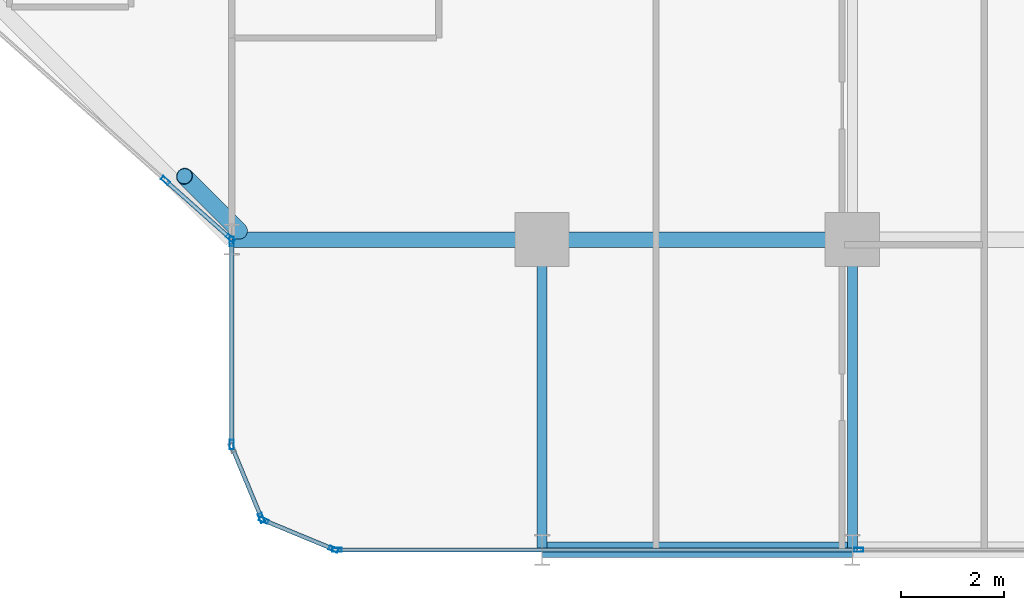
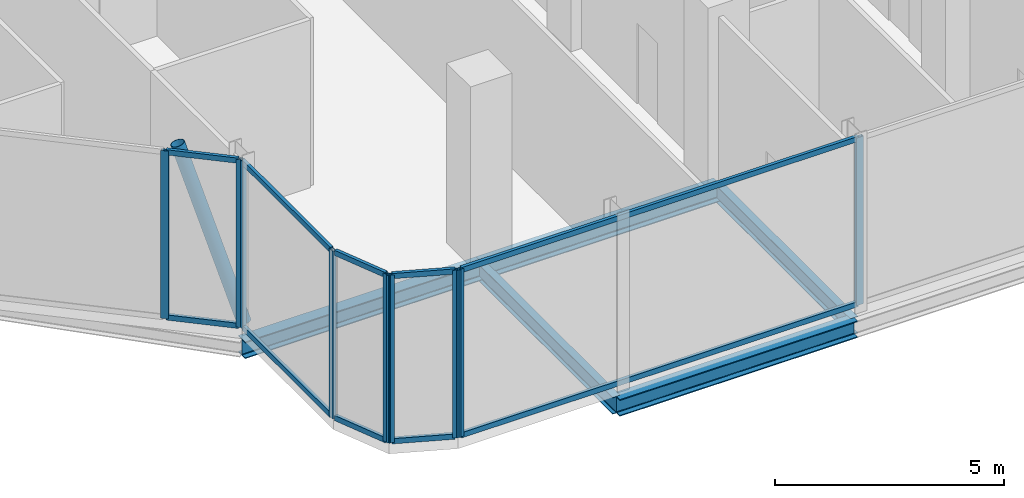
# One storey, part 4 of 29: 20 members, 5 beams, 5 elements without a shape of their own.
"""IFC4 building model written with IfcOpenShell, lengths in metres."""

import ifcopenshell
import ifcopenshell.guid

model = None  # the IFC model being written
_history = None  # IfcOwnerHistory: only IFC2X3 demands one
_inside = {}  # id of a spatial element -> (the spatial element, [elements in it])
_under = {}  # id of a project, library or spatial element -> (it, [spatial elements below it])
_declared = {}  # id of a project -> (the project, [libraries it declares])
_typed = {}  # id of a type object -> (the type object, [elements of that type])
_made_of = {}  # id of a material, layer set ... -> (it, [elements and type objects made of it])


def new_model(schema):
    """Start an empty IFC model of exactly this schema.

    Asked for "IFC4X3", IfcOpenShell would pick the latest addendum, in which some entities
    have other attributes; the version numbers below select the first issue.
    IFC2X3 requires an IfcOwnerHistory on every rooted entity: one is made here for all.
    """
    global model, _history
    if schema == "IFC4X3":
        model = ifcopenshell.file(schema_version=(4, 3, 0, 0))
    else:
        model = ifcopenshell.file(schema=schema)
    _inside.clear()
    _under.clear()
    _declared.clear()
    _typed.clear()
    _made_of.clear()
    _history = None
    if model.schema == "IFC2X3":
        org = make("IfcOrganization", Name="unknown")
        user = make(
            "IfcPersonAndOrganization",
            ThePerson=make("IfcPerson", FamilyName="unknown"),
            TheOrganization=org,
        )
        app = make(
            "IfcApplication",
            ApplicationDeveloper=org,
            Version="unknown",
            ApplicationFullName="unknown",
            ApplicationIdentifier="unknown",
        )
        _history = make(
            "IfcOwnerHistory",
            OwningUser=user,
            OwningApplication=app,
            ChangeAction="ADDED",
            CreationDate=0,
        )
    return model


def make(cls, **values):
    """One entity of the class cls with the attributes given. An attribute that is None is left unset."""
    return model.create_entity(
        cls, **{name: value for name, value in values.items() if value is not None}
    )


def rooted(cls, **values):
    """An entity with a GlobalId (a new one), such as an element, a storey or a relation."""
    return make(cls, GlobalId=ifcopenshell.guid.new(), OwnerHistory=_history, **values)


def si_unit(unit_type, name, prefix=None):
    """IfcSIUnit, for example si_unit("LENGTHUNIT", "METRE", prefix="MILLI")."""
    return make("IfcSIUnit", UnitType=unit_type, Prefix=prefix, Name=name)


def assignment(units):
    """IfcUnitAssignment: the units of a project."""
    return None if units is None else make("IfcUnitAssignment", Units=units)


def point(xyz):
    """IfcCartesianPoint."""
    return None if xyz is None else make("IfcCartesianPoint", Coordinates=xyz)


def direction(xyz):
    """IfcDirection."""
    return None if xyz is None else make("IfcDirection", DirectionRatios=xyz)


def frame(location, z_axis=None, x_axis=None):
    """IfcAxis2Placement3D, a coordinate frame: its origin and axes. An axis left out is left unset."""
    return make(
        "IfcAxis2Placement3D",
        Location=point(location),
        Axis=direction(z_axis),
        RefDirection=direction(x_axis),
    )


def frame_2d(location, x_axis=None):
    """IfcAxis2Placement2D, a coordinate frame in the plane: its origin and x axis."""
    return make(
        "IfcAxis2Placement2D", Location=point(location), RefDirection=direction(x_axis)
    )


def origin():
    """The frame at (0, 0, 0) with its axes left unset."""
    return frame((0.0, 0.0, 0.0))


def origin_2d():
    """The frame at (0, 0) in the plane with its x axis left unset."""
    return frame_2d((0.0, 0.0))


def place(relative_to, where):
    """IfcLocalPlacement: puts the frame where relative to a parent placement (None: the world)."""
    return make(
        "IfcLocalPlacement", PlacementRelTo=relative_to, RelativePlacement=where
    )


def context(
    kind, dimensions, precision=None, world=None, true_north=None, identifier=None
):
    """IfcGeometricRepresentationContext, for example the 3D "Model" context."""
    return make(
        "IfcGeometricRepresentationContext",
        ContextIdentifier=identifier,
        ContextType=kind,
        CoordinateSpaceDimension=dimensions,
        Precision=precision,
        WorldCoordinateSystem=world,
        TrueNorth=true_north,
    )


def subcontext(parent, identifier, kind, view, scale=None):
    """IfcGeometricRepresentationSubContext, for example "Body" below "Model"."""
    return make(
        "IfcGeometricRepresentationSubContext",
        ContextIdentifier=identifier,
        ContextType=kind,
        ParentContext=parent,
        TargetScale=scale,
        TargetView=view,
    )


def project(units=None, contexts=None):
    """IfcProject with its units and contexts."""
    return rooted(
        "IfcProject",
        Name="project",
        RepresentationContexts=contexts,
        UnitsInContext=assignment(units),
    )


def spatial(cls, under=None, at=None, **own):
    """A site, building, storey or space (cls), placed at a placement, below another one or the project."""
    s = rooted(cls, ObjectPlacement=at, **own)
    if under is not None:
        _under.setdefault(under.id(), (under, []))[1].append(s)
    return s


def profile(cls, at=None, kind="AREA", **sizes):
    """A parametric profile (cls). Its sizes go by their IFC names, for example OverallWidth=200.0."""
    return make(cls, ProfileType=kind, Position=at, **sizes)


def hollow_rectangle(**sizes):
    """IfcRectangleHollowProfileDef."""
    return profile("IfcRectangleHollowProfileDef", **sizes)


def hollow_circle(**sizes):
    """IfcCircleHollowProfileDef."""
    return profile("IfcCircleHollowProfileDef", **sizes)


def i_section(**sizes):
    """IfcIShapeProfileDef."""
    return profile("IfcIShapeProfileDef", **sizes)


def extrude(swept, where, along, depth):
    """IfcExtrudedAreaSolid: the profile swept, set in the frame where, extruded along a direction by depth."""
    return make(
        "IfcExtrudedAreaSolid",
        SweptArea=swept,
        Position=where,
        ExtrudedDirection=direction(along),
        Depth=depth,
    )


def shape(context_of_items, identifier, shape_type, items):
    """IfcShapeRepresentation: the items that make up one representation, for example the "Body"."""
    return make(
        "IfcShapeRepresentation",
        ContextOfItems=context_of_items,
        RepresentationIdentifier=identifier,
        RepresentationType=shape_type,
        Items=items,
    )


def material(Name=None, Category=None):
    """IfcMaterial."""
    return make("IfcMaterial", Name=Name, Category=Category)


def layer(
    of_material, thickness, ventilated=None, Name=None, Category=None, Priority=None
):
    """IfcMaterialLayer: one layer of a wall or slab, of a material (None: an air gap)."""
    return make(
        "IfcMaterialLayer",
        Material=of_material,
        LayerThickness=thickness,
        IsVentilated=ventilated,
        Name=Name,
        Category=Category,
        Priority=Priority,
    )


def layer_set(layers, Name=None):
    """IfcMaterialLayerSet."""
    return make("IfcMaterialLayerSet", MaterialLayers=layers, LayerSetName=Name)


def material_profile(
    of_material, cross_section, Name=None, Category=None, Priority=None
):
    """IfcMaterialProfile: a cross section and its material."""
    return make(
        "IfcMaterialProfile",
        Name=Name,
        Material=of_material,
        Profile=cross_section,
        Priority=Priority,
        Category=Category,
    )


def profile_set(profiles, Name=None, composite=None):
    """IfcMaterialProfileSet."""
    return make(
        "IfcMaterialProfileSet",
        Name=Name,
        MaterialProfiles=profiles,
        CompositeProfile=composite,
    )


def made_of(thing, what):
    """Note that an element or type object is made of a material, layer set ...; save() writes the relation."""
    if what is not None:
        _made_of.setdefault(what.id(), (what, []))[1].append(thing)
    return thing


def type_object(cls, material=None, **own):
    """A type object (cls), such as IfcWallType, which elements share."""
    return made_of(rooted(cls, **own), material)


def element(
    cls,
    number,
    at=None,
    inside=None,
    cuts=None,
    type_object=None,
    material=None,
    context=None,
    identifier="Body",
    shape_type=None,
    held_by="IfcProductDefinitionShape",
    body=None,
    shapes=None,
    **own,
):
    """One element of the class cls, such as IfcWall. Its Tag is "e" and its number.

    at: its placement. inside: the storey or other place that contains it. cuts: it is an
    opening in that element (IfcRelVoidsElement). A single representation is given by context,
    identifier, shape_type and body (its items); several are given by shapes. held_by: the class
    of the entity that holds the representations. save() writes the other relations.
    """
    e = rooted(cls, Tag="e%d" % number, ObjectPlacement=at, **own)
    if body is not None:
        shapes = [shape(context, identifier, shape_type, body)]
    if shapes is not None:
        e.Representation = make(held_by, Representations=shapes)
    if inside is not None:
        _inside.setdefault(inside.id(), (inside, []))[1].append(e)
    if cuts is not None:
        rooted(
            "IfcRelVoidsElement", RelatingBuildingElement=cuts, RelatedOpeningElement=e
        )
    if type_object is not None:
        _typed.setdefault(type_object.id(), (type_object, []))[1].append(e)
    return made_of(e, material)


def aggregate(whole, parts):
    """IfcRelAggregates: a whole, such as a stair, and the parts it consists of."""
    return rooted("IfcRelAggregates", RelatingObject=whole, RelatedObjects=parts)


def save(model, path):
    """Write the relations noted so far, then the file.

    IfcRelAggregates (storeys below a building ...), IfcRelContainedInSpatialStructure (elements
    in a storey), IfcRelDefinesByType, IfcRelAssociatesMaterial and IfcRelDeclares: one each for
    every whole, place, type object, material and project.
    """
    for whole, parts in _under.values():
        aggregate(whole, parts)
    for where, things in _inside.values():
        rooted(
            "IfcRelContainedInSpatialStructure",
            RelatedElements=things,
            RelatingStructure=where,
        )
    for kind, things in _typed.values():
        rooted("IfcRelDefinesByType", RelatedObjects=things, RelatingType=kind)
    for what, things in _made_of.values():
        rooted("IfcRelAssociatesMaterial", RelatedObjects=things, RelatingMaterial=what)
    for by, libraries in _declared.values():
        rooted("IfcRelDeclares", RelatingContext=by, RelatedDefinitions=libraries)
    model.write(path)


model = new_model("IFC4")

# Units and contexts
model_context = context("Model", 3, precision=1e-05, world=origin(), true_north=direction((0.0, 1.0)))
body_context = subcontext(model_context, "Body", "Model", "MODEL_VIEW")
ifc_project = project(units=[si_unit("LENGTHUNIT", "METRE"), si_unit("AREAUNIT", "SQUARE_METRE"), si_unit("VOLUMEUNIT", "CUBIC_METRE"), si_unit("PLANEANGLEUNIT", "RADIAN"), si_unit("MASSUNIT", "GRAM", prefix="KILO")], contexts=[model_context])

# Site, building, storey
site_placement = place(None, origin())
site = spatial("IfcSite", under=ifc_project, at=site_placement, CompositionType="ELEMENT")
building_placement = place(site_placement, origin())
building = spatial("IfcBuilding", under=site, at=building_placement, Name="Keshet Zoharim Tower", CompositionType="ELEMENT")
storey_placement = place(building_placement, frame((0.0, 0.0, 120.5)))
storey = spatial("IfcBuildingStorey", under=building, at=storey_placement, Name="L29", CompositionType="ELEMENT", Elevation=120.5)

# Beams
ifc_material_1 = material(Name="Steel S355", Category="steel")
ifc_material_profile_1 = material_profile(ifc_material_1, i_section(OverallWidth=0.18994140625, OverallDepth=0.449951171875, WebThickness=0.009521484375, FlangeThickness=0.0146484375, FilletRadius=0.02099609375, at=origin_2d()), Name="IPE450")
ifc_profile_set_1 = profile_set([ifc_material_profile_1], Name="Steel S355")
beam_type_1 = type_object("IfcBeamType", Name="BM-PRI-IP450", PredefinedType="BEAM", material=ifc_profile_set_1)
for number, where, z_axis, x_axis, name in (
    (1, (27.0, 0.699951171875, -0.544921875), (0.0, 1.0, 0.0), (-1.0, 0.0, 0.0), "L29 Primary Girder Y-004"),
    (2, (33.0, 0.699951171875, -0.544921875), (0.0, 1.0, 0.0), (-1.0, 0.0, 0.0), "L29 Primary Girder Y-005"),
):
    element("IfcBeam", number, at=place(storey_placement, frame(where, z_axis=z_axis, x_axis=x_axis)), inside=storey, type_object=beam_type_1, Name=name, PredefinedType="BEAM", context=body_context, shape_type="SweptSolid", body=[
        extrude(i_section(OverallWidth=0.18994140625, OverallDepth=0.449951171875, WebThickness=0.009521484375, FlangeThickness=0.0146484375, FilletRadius=0.02099609375, at=origin_2d()), origin(), (0.0, 0.0, 1.0), 6.0),
    ])
ifc_material_profile_2 = material_profile(ifc_material_1, i_section(OverallWidth=0.300048828125, OverallDepth=0.449951171875, WebThickness=0.013916015625, FlangeThickness=0.02587890625, FilletRadius=0.027099609375, at=origin_2d()), Name="HEB450")
ifc_profile_set_2 = profile_set([ifc_material_profile_2], Name="Steel S355")
beam_type_2 = type_object("IfcBeamType", Name="BM-WEB-HB450", PredefinedType="BEAM", material=ifc_profile_set_2)
for number, where, z_axis, x_axis, name in (
    (3, (27.0, 0.699951171875, -0.544921875), (1.0, 0.0, 0.0), (0.0, 1.0, 0.0), "L29 Primary Girder X-001"),
    (4, (21.0, 6.699951171875, -0.544921875), (1.0, 0.0, 0.0), (0.0, 1.0, 0.0), "L29 Primary Girder X-005"),
    (5, (27.0, 6.699951171875, -0.544921875), (1.0, 0.0, 0.0), (0.0, 1.0, 0.0), "L29 Primary Girder X-006"),
):
    element("IfcBeam", number, at=place(storey_placement, frame(where, z_axis=z_axis, x_axis=x_axis)), inside=storey, type_object=beam_type_2, Name=name, PredefinedType="BEAM", context=body_context, shape_type="SweptSolid", body=[
        extrude(i_section(OverallWidth=0.300048828125, OverallDepth=0.449951171875, WebThickness=0.013916015625, FlangeThickness=0.02587890625, FilletRadius=0.027099609375, at=origin_2d()), origin(), (0.0, 0.0, 1.0), 6.0),
    ])

# Curtain wall, members
ifc_material_2 = material(Name="Aluminium 6063-T6", Category="aluminium")
ifc_layer = layer(ifc_material_2, 0.14990234375)
ifc_layer_set = layer_set([ifc_layer], Name="Aluminium 6063-T6")
curtain_wall_type = type_object("IfcCurtainWallType", Name="CW-SYS-04", PredefinedType="NOTDEFINED", material=ifc_layer_set)
curtain_wall_1_placement = place(storey_placement, origin())
curtain_wall_1 = element("IfcCurtainWall", 6, at=curtain_wall_1_placement, inside=storey, type_object=curtain_wall_type, Name="L29 Unitised Curtain Wall 03 Part 3", PredefinedType="NOTDEFINED")
ifc_material_profile_3 = material_profile(ifc_material_2, hollow_rectangle(XDim=0.080078125, YDim=0.179931640625, WallThickness=0.00439453125, at=origin_2d()), Name="MUL-80x180")
ifc_profile_set_3 = profile_set([ifc_material_profile_3], Name="Aluminium 6063-T6")
member_type_1 = type_object("IfcMemberType", Name="CWM-M18", PredefinedType="MULLION", material=ifc_profile_set_3)
member_1_placement = place(storey_placement, frame((33.123291015625, 0.699951171875, 0.0), z_axis=(0.0, 0.0, 1.0), x_axis=(0.0, -1.0, 0.0)))
member_1 = element("IfcMember", 7, at=member_1_placement, type_object=member_type_1, Name="CW-04 mullion 2", PredefinedType="MULLION", context=body_context, shape_type="SweptSolid", body=[
    extrude(hollow_rectangle(XDim=0.080078125, YDim=0.179931640625, WallThickness=0.00439453125, at=origin_2d()), origin(), (0.0, 0.0, 1.0), 4.47998046875),
])
member_2_placement = place(storey_placement, frame((23.034912109375, 0.699951171875, 0.0), z_axis=(0.0, 0.0, 1.0), x_axis=(0.0, -1.0, 0.0)))
member_2 = element("IfcMember", 8, at=member_2_placement, type_object=member_type_1, Name="CW-04 mullion 3", PredefinedType="MULLION", context=body_context, shape_type="SweptSolid", body=[
    extrude(hollow_rectangle(XDim=0.080078125, YDim=0.179931640625, WallThickness=0.00439453125, at=origin_2d()), origin(), (0.0, 0.0, 1.0), 4.47998046875),
])

curtain_wall_2_placement = place(storey_placement, origin())
curtain_wall_2 = element("IfcCurtainWall", 9, at=curtain_wall_2_placement, inside=storey, type_object=curtain_wall_type, Name="L29 Unitised Curtain Wall 04", PredefinedType="NOTDEFINED")
member_3_placement = place(storey_placement, frame((22.9677734375, 0.71337890625, 0.0), z_axis=(0.0, 0.0, 1.0), x_axis=(-0.382851849847, -0.92380975372, 0.0)))
member_3 = element("IfcMember", 10, at=member_3_placement, type_object=member_type_1, Name="CW-04 mullion 1", PredefinedType="MULLION", context=body_context, shape_type="SweptSolid", body=[
    extrude(hollow_rectangle(XDim=0.080078125, YDim=0.179931640625, WallThickness=0.00439453125, at=origin_2d()), origin(), (0.0, 0.0, 1.0), 4.47998046875),
])
member_4_placement = place(storey_placement, frame((21.618408203125, 1.272705078125, 0.0), z_axis=(0.0, 0.0, 1.0), x_axis=(-0.382851849847, -0.92380975372, 0.0)))
member_4 = element("IfcMember", 11, at=member_4_placement, type_object=member_type_1, Name="CW-04 mullion 2", PredefinedType="MULLION", context=body_context, shape_type="SweptSolid", body=[
    extrude(hollow_rectangle(XDim=0.080078125, YDim=0.179931640625, WallThickness=0.00439453125, at=origin_2d()), origin(), (0.0, 0.0, 1.0), 4.47998046875),
])

# Curtain wall, member
curtain_wall_3_placement = place(storey_placement, origin())
curtain_wall_3 = element("IfcCurtainWall", 12, at=curtain_wall_3_placement, inside=storey, type_object=curtain_wall_type, Name="L29 Unitised Curtain Wall 05", PredefinedType="NOTDEFINED")
member_5_placement = place(storey_placement, frame((21.572509765625, 1.318359375, 0.0), z_axis=(0.0, 0.0, 1.0), x_axis=(-0.92380975372, -0.382851849847, 0.0)))
member_5 = element("IfcMember", 13, at=member_5_placement, type_object=member_type_1, Name="CW-04 mullion 1", PredefinedType="MULLION", context=body_context, shape_type="SweptSolid", body=[
    extrude(hollow_rectangle(XDim=0.080078125, YDim=0.179931640625, WallThickness=0.00439453125, at=origin_2d()), origin(), (0.0, 0.0, 1.0), 4.47998046875),
])

# Curtain wall, members
curtain_wall_4_placement = place(storey_placement, origin())
curtain_wall_4 = element("IfcCurtainWall", 14, at=curtain_wall_4_placement, inside=storey, type_object=curtain_wall_type, Name="L29 Unitised Curtain Wall 06", PredefinedType="NOTDEFINED")
member_6_placement = place(storey_placement, frame((21.0, 2.735107421875, 0.0), z_axis=(0.0, 0.0, 1.0), x_axis=(-1.0, 0.0, 0.0)))
member_6 = element("IfcMember", 15, at=member_6_placement, type_object=member_type_1, Name="CW-04 mullion 1", PredefinedType="MULLION", context=body_context, shape_type="SweptSolid", body=[
    extrude(hollow_rectangle(XDim=0.080078125, YDim=0.179931640625, WallThickness=0.00439453125, at=origin_2d()), origin(), (0.0, 0.0, 1.0), 4.47998046875),
])
member_7_placement = place(storey_placement, frame((21.0, 6.6650390625, 0.0), z_axis=(0.0, 0.0, 1.0), x_axis=(-1.0, 0.0, 0.0)))
member_7 = element("IfcMember", 16, at=member_7_placement, type_object=member_type_1, Name="CW-04 mullion 2", PredefinedType="MULLION", context=body_context, shape_type="SweptSolid", body=[
    extrude(hollow_rectangle(XDim=0.080078125, YDim=0.179931640625, WallThickness=0.00439453125, at=origin_2d()), origin(), (0.0, 0.0, 1.0), 4.47998046875),
])

curtain_wall_5_placement = place(storey_placement, origin())
curtain_wall_5 = element("IfcCurtainWall", 17, at=curtain_wall_5_placement, inside=storey, type_object=curtain_wall_type, Name="L29 Unitised Curtain Wall 07", PredefinedType="NOTDEFINED")
member_8_placement = place(storey_placement, frame((20.973876953125, 6.72314453125, 0.0), z_axis=(0.0, 0.0, 1.0), x_axis=(-0.664346118277, -0.74742506991, 0.0)))
member_8 = element("IfcMember", 18, at=member_8_placement, type_object=member_type_1, Name="CW-04 mullion 1", PredefinedType="MULLION", context=body_context, shape_type="SweptSolid", body=[
    extrude(hollow_rectangle(XDim=0.080078125, YDim=0.179931640625, WallThickness=0.00439453125, at=origin_2d()), origin(), (0.0, 0.0, 1.0), 4.47998046875),
])
member_9_placement = place(storey_placement, frame((19.717041015625, 7.84033203125, 0.0), z_axis=(0.0, 0.0, 1.0), x_axis=(-0.664346118277, -0.74742506991, 0.0)))
member_9 = element("IfcMember", 19, at=member_9_placement, type_object=member_type_1, Name="CW-04 mullion 2", PredefinedType="MULLION", context=body_context, shape_type="SweptSolid", body=[
    extrude(hollow_rectangle(XDim=0.080078125, YDim=0.179931640625, WallThickness=0.00439453125, at=origin_2d()), origin(), (0.0, 0.0, 1.0), 4.47998046875),
])

# Member
ifc_material_profile_4 = material_profile(ifc_material_2, hollow_rectangle(XDim=0.080078125, YDim=0.139892578125, WallThickness=0.00390625, at=origin_2d()), Name="TRN-80x140")
ifc_profile_set_4 = profile_set([ifc_material_profile_4], Name="Aluminium 6063-T6")
member_type_2 = type_object("IfcMemberType", Name="CWT-T14", PredefinedType="USERDEFINED", material=ifc_profile_set_4)
member_10_placement = place(storey_placement, frame((33.088134765625, 0.699951171875, 0.034912109375), z_axis=(-1.0, 0.0, 0.0), x_axis=(0.0, -1.0, 0.0)))
member_10 = element("IfcMember", 20, at=member_10_placement, type_object=member_type_2, Name="CW-04 transom 2.1", ObjectType="TRANSOM", PredefinedType="USERDEFINED", context=body_context, shape_type="SweptSolid", body=[
    extrude(hollow_rectangle(XDim=0.080078125, YDim=0.139892578125, WallThickness=0.00390625, at=origin_2d()), origin(), (0.0, 0.0, 1.0), 10.01806640625),
])

member_11_placement = place(storey_placement, frame((33.088134765625, 0.699951171875, 4.445068359375), z_axis=(-1.0, 0.0, 0.0), x_axis=(0.0, -1.0, 0.0)))
member_11 = element("IfcMember", 21, at=member_11_placement, type_object=member_type_2, Name="CW-04 transom 2.2", ObjectType="TRANSOM", PredefinedType="USERDEFINED", context=body_context, shape_type="SweptSolid", body=[
    extrude(hollow_rectangle(XDim=0.080078125, YDim=0.139892578125, WallThickness=0.00390625, at=origin_2d()), origin(), (0.0, 0.0, 1.0), 10.01806640625),
])

aggregate(curtain_wall_1, [member_1, member_2, member_10, member_11])

member_12_placement = place(storey_placement, frame((22.935302734375, 0.726806640625, 0.034912109375), z_axis=(-0.92379209995, 0.382894445076, 0.0), x_axis=(-0.382894445076, -0.92379209995, 0.0)))
member_12 = element("IfcMember", 22, at=member_12_placement, type_object=member_type_2, Name="CW-04 transom 1.1", ObjectType="TRANSOM", PredefinedType="USERDEFINED", context=body_context, shape_type="SweptSolid", body=[
    extrude(hollow_rectangle(XDim=0.080078125, YDim=0.139892578125, WallThickness=0.00390625, at=origin_2d()), origin(), (0.0, 0.0, 1.0), 1.390625),
])

member_13_placement = place(storey_placement, frame((22.935302734375, 0.726806640625, 4.445068359375), z_axis=(-0.92379209995, 0.382894445076, 0.0), x_axis=(-0.382894445076, -0.92379209995, 0.0)))
member_13 = element("IfcMember", 23, at=member_13_placement, type_object=member_type_2, Name="CW-04 transom 1.2", ObjectType="TRANSOM", PredefinedType="USERDEFINED", context=body_context, shape_type="SweptSolid", body=[
    extrude(hollow_rectangle(XDim=0.080078125, YDim=0.139892578125, WallThickness=0.00390625, at=origin_2d()), origin(), (0.0, 0.0, 1.0), 1.390625),
])

aggregate(curtain_wall_2, [member_3, member_4, member_12, member_13])

member_14_placement = place(storey_placement, frame((21.55908203125, 1.3505859375, 0.034912109375), z_axis=(-0.382744609247, 0.923854189844, 0.0), x_axis=(-0.923854189844, -0.382744609247, 0.0)))
member_14 = element("IfcMember", 24, at=member_14_placement, type_object=member_type_2, Name="CW-04 transom 1.1", ObjectType="TRANSOM", PredefinedType="USERDEFINED", context=body_context, shape_type="SweptSolid", body=[
    extrude(hollow_rectangle(XDim=0.080078125, YDim=0.139892578125, WallThickness=0.00390625, at=origin_2d()), origin(), (0.0, 0.0, 1.0), 1.390625),
])

member_15_placement = place(storey_placement, frame((21.55908203125, 1.3505859375, 4.445068359375), z_axis=(-0.382744609247, 0.923854189844, 0.0), x_axis=(-0.923854189844, -0.382744609247, 0.0)))
member_15 = element("IfcMember", 25, at=member_15_placement, type_object=member_type_2, Name="CW-04 transom 1.2", ObjectType="TRANSOM", PredefinedType="USERDEFINED", context=body_context, shape_type="SweptSolid", body=[
    extrude(hollow_rectangle(XDim=0.080078125, YDim=0.139892578125, WallThickness=0.00390625, at=origin_2d()), origin(), (0.0, 0.0, 1.0), 1.390625),
])

aggregate(curtain_wall_3, [member_5, member_14, member_15])

member_16_placement = place(storey_placement, frame((21.0, 2.77001953125, 0.034912109375), z_axis=(0.0, 1.0, 0.0), x_axis=(-1.0, 0.0, 0.0)))
member_16 = element("IfcMember", 26, at=member_16_placement, type_object=member_type_2, Name="CW-04 transom 1.1", ObjectType="TRANSOM", PredefinedType="USERDEFINED", context=body_context, shape_type="SweptSolid", body=[
    extrude(hollow_rectangle(XDim=0.080078125, YDim=0.139892578125, WallThickness=0.00390625, at=origin_2d()), origin(), (0.0, 0.0, 1.0), 3.85986328125),
])

member_17_placement = place(storey_placement, frame((21.0, 2.77001953125, 4.445068359375), z_axis=(0.0, 1.0, 0.0), x_axis=(-1.0, 0.0, 0.0)))
member_17 = element("IfcMember", 27, at=member_17_placement, type_object=member_type_2, Name="CW-04 transom 1.2", ObjectType="TRANSOM", PredefinedType="USERDEFINED", context=body_context, shape_type="SweptSolid", body=[
    extrude(hollow_rectangle(XDim=0.080078125, YDim=0.139892578125, WallThickness=0.00390625, at=origin_2d()), origin(), (0.0, 0.0, 1.0), 3.85986328125),
])

aggregate(curtain_wall_4, [member_6, member_7, member_16, member_17])

member_18_placement = place(storey_placement, frame((20.94775390625, 6.74658203125, 0.034912109375), z_axis=(-0.747476195198, 0.664288595124, 0.0), x_axis=(-0.664288595124, -0.747476195198, 0.0)))
member_18 = element("IfcMember", 28, at=member_18_placement, type_object=member_type_2, Name="CW-04 transom 1.1", ObjectType="TRANSOM", PredefinedType="USERDEFINED", context=body_context, shape_type="SweptSolid", body=[
    extrude(hollow_rectangle(XDim=0.080078125, YDim=0.139892578125, WallThickness=0.00390625, at=origin_2d()), origin(), (0.0, 0.0, 1.0), 1.611328125),
])

member_19_placement = place(storey_placement, frame((20.94775390625, 6.74658203125, 4.445068359375), z_axis=(-0.747476195198, 0.664288595124, 0.0), x_axis=(-0.664288595124, -0.747476195198, 0.0)))
member_19 = element("IfcMember", 29, at=member_19_placement, type_object=member_type_2, Name="CW-04 transom 1.2", ObjectType="TRANSOM", PredefinedType="USERDEFINED", context=body_context, shape_type="SweptSolid", body=[
    extrude(hollow_rectangle(XDim=0.080078125, YDim=0.139892578125, WallThickness=0.00390625, at=origin_2d()), origin(), (0.0, 0.0, 1.0), 1.611328125),
])

aggregate(curtain_wall_5, [member_8, member_9, member_18, member_19])

ifc_material_profile_5 = material_profile(ifc_material_1, hollow_circle(Radius=0.161865234375, WallThickness=0.012451171875, at=origin_2d()), Name="CHS323x12.5")
ifc_profile_set_5 = profile_set([ifc_material_profile_5], Name="Steel S355")
member_type_3 = type_object("IfcMemberType", Name="MB-BR-C323", PredefinedType="BRACE", material=ifc_profile_set_5)
member_20_placement = place(storey_placement, frame((21.14599609375, 6.864013671875, 0.0), z_axis=(-0.224576862463, 0.224576862463, 0.948224902485), x_axis=(-0.707106781187, -0.707106781187, 0.0)))
element("IfcMember", 30, at=member_20_placement, inside=storey, type_object=member_type_3, Name="L29 Perimeter Tube Brace 01", PredefinedType="BRACE", context=body_context, shape_type="SweptSolid", body=[
    extrude(hollow_circle(Radius=0.161865234375, WallThickness=0.012451171875, at=origin_2d()), origin(), (0.0, 0.0, 1.0), 4.724609375),
])

save(model, "model.ifc")
